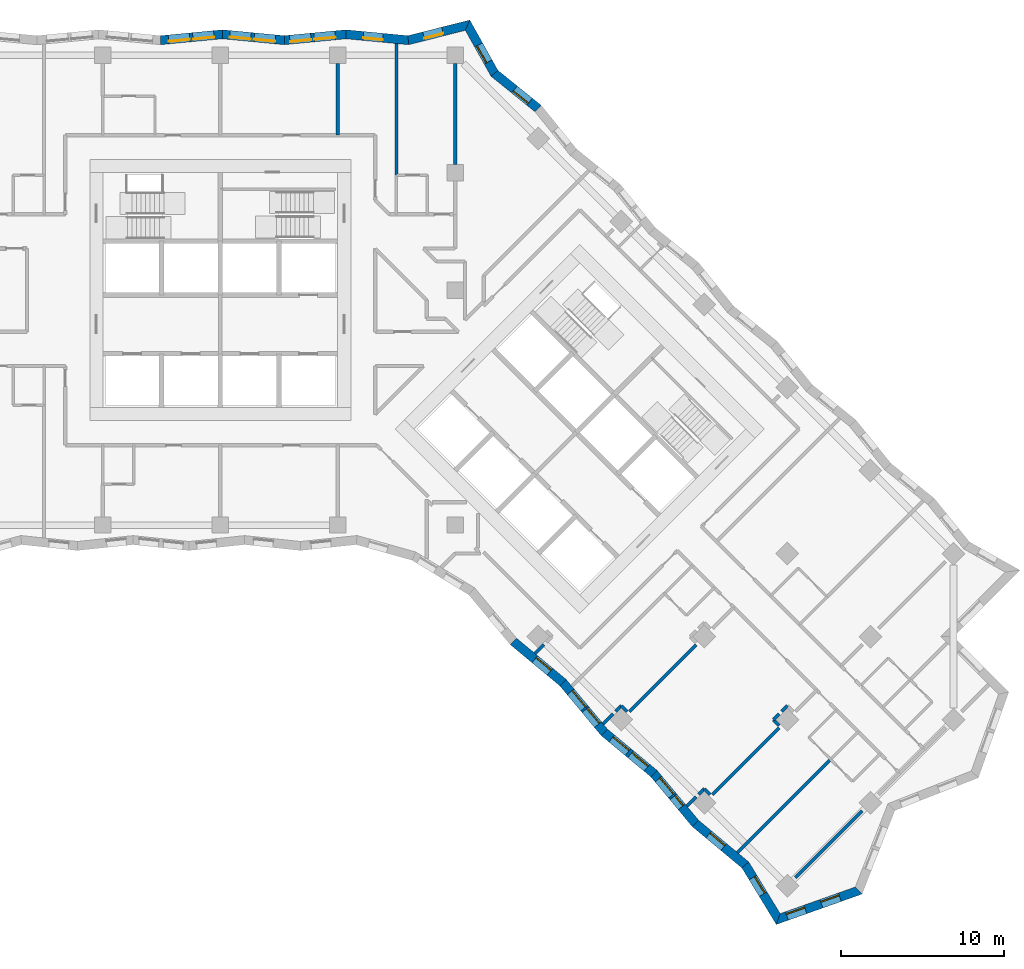
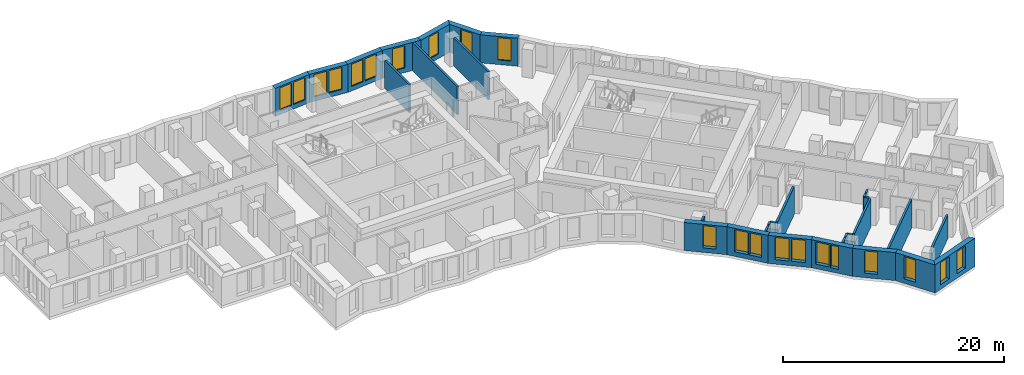
# One storey, part 7 of 12: 31 walls, 21 windows, 21 openings.
"""IFC4 building model written with IfcOpenShell, lengths in metres."""

from ifc_helpers import new_model, si_unit, direction, frame, frame_2d, origin, place, context, subcontext, project, spatial, polyline, rectangle, outline, extrude, material, layer, layer_set, type_object, element, fill, save


model = new_model("IFC4")

# Units and contexts
model_context = context("Model", 3, precision=1e-05, world=origin(), true_north=direction((0.0, 1.0)))
body_context = subcontext(model_context, "Body", "Model", "MODEL_VIEW")
ifc_project = project(units=[si_unit("LENGTHUNIT", "METRE"), si_unit("AREAUNIT", "SQUARE_METRE"), si_unit("VOLUMEUNIT", "CUBIC_METRE"), si_unit("PLANEANGLEUNIT", "RADIAN"), si_unit("MASSUNIT", "GRAM", prefix="KILO")], contexts=[model_context])

# Site, building, storey
site_placement = place(None, origin())
site = spatial("IfcSite", under=ifc_project, at=site_placement, CompositionType="ELEMENT")
building_placement = place(site_placement, origin())
building = spatial("IfcBuilding", under=site, at=building_placement, Name="Windrow Commons", CompositionType="ELEMENT")
storey_placement = place(building_placement, frame((0.0, 0.0, 88.0)))
storey = spatial("IfcBuildingStorey", under=building, at=storey_placement, Name="L23", CompositionType="ELEMENT", Elevation=88.0)

# Wall, openings, windows
ifc_material_1 = material(Name="Brick masonry, red clay brick", Category="masonry")
ifc_layer_1 = layer(ifc_material_1, 0.55)
ifc_layer_set_1 = layer_set([ifc_layer_1], Name="Brick facade wall 550")
wall_type_1 = type_object("IfcWallType", Name="Brick facade wall 550", PredefinedType="SOLIDWALL", material=ifc_layer_set_1)
wall_1_placement = place(storey_placement, frame((99.0039, 19.0457, 0.0), z_axis=(0.0, 0.0, 1.0), x_axis=(0.9424217233, 0.3344268162, 0.0)))
wall_1 = element("IfcWall", 1, at=wall_1_placement, inside=storey, type_object=wall_type_1, Name="Brick facade wall L23 1", PredefinedType="SOLIDWALL", context=body_context, shape_type="SweptSolid", body=[
    extrude(outline(polyline([(-0.2236, -0.275), (5.3589, -0.275), (5.108, 0.275), (0.2236, 0.275), (-0.2236, -0.275)])), origin(), (0.0, 0.0, 1.0), 3.1),
])
opening_1_placement = place(wall_1_placement, frame((0.5647, 0.0, 0.5)))
opening_1 = element("IfcOpeningElement", 2, at=opening_1_placement, cuts=wall_1, Name="Opening W7D", PredefinedType="OPENING", context=body_context, shape_type="SweptSolid", body=[
    extrude(rectangle(XDim=1.2, YDim=2.45, at=frame_2d((0.6, 1.225))), frame((0.0, 0.285, 0.0), z_axis=(0.0, -1.0, 0.0), x_axis=(1.0, 0.0, 0.0)), (0.0, 0.0, 1.0), 0.57),
])
opening_2_placement = place(wall_1_placement, frame((2.8069, 0.0, 0.5)))
opening_2 = element("IfcOpeningElement", 3, at=opening_2_placement, cuts=wall_1, Name="Opening W7D", PredefinedType="OPENING", context=body_context, shape_type="SweptSolid", body=[
    extrude(rectangle(XDim=1.2, YDim=2.45, at=frame_2d((0.6, 1.225))), frame((0.0, 0.285, 0.0), z_axis=(0.0, -1.0, 0.0), x_axis=(1.0, 0.0, 0.0)), (0.0, 0.0, 1.0), 0.57),
])
ifc_material_2 = material(Name="Clear float glass in anodised aluminium frame", Category="aluminium")
window_type_1 = type_object("IfcWindowType", Name="Window W7 notch 1200x2450", PartitioningType="SINGLE_PANEL", PredefinedType="WINDOW", material=ifc_material_2)
window_1_placement = place(opening_1_placement, origin())
window_1 = element("IfcWindow", 4, at=window_1_placement, inside=storey, type_object=window_type_1, Name="Window L23 1.1", OverallHeight=2.45, OverallWidth=1.2, PartitioningType="SINGLE_PANEL", PredefinedType="WINDOW", context=body_context, shape_type="SweptSolid", body=[
    extrude(rectangle(XDim=1.2, YDim=2.45, at=frame_2d((0.6, 1.225))), frame((0.0, 0.155, 0.0), z_axis=(0.0, -1.0, 0.0), x_axis=(1.0, 0.0, 0.0)), (0.0, 0.0, 1.0), 0.06),
])
fill(opening_1, window_1)
window_2_placement = place(opening_2_placement, origin())
window_2 = element("IfcWindow", 5, at=window_2_placement, inside=storey, type_object=window_type_1, Name="Window L23 1.2", OverallHeight=2.45, OverallWidth=1.2, PartitioningType="SINGLE_PANEL", PredefinedType="WINDOW", context=body_context, shape_type="SweptSolid", body=[
    extrude(rectangle(XDim=1.2, YDim=2.45, at=frame_2d((0.6, 1.225))), frame((0.0, 0.155, 0.0), z_axis=(0.0, -1.0, 0.0), x_axis=(1.0, 0.0, 0.0)), (0.0, 0.0, 1.0), 0.06),
])
fill(opening_2, window_2)

# Wall, opening, window
wall_2_placement = place(storey_placement, frame((84.2933, 68.7233, 0.0), z_axis=(0.0, 0.0, 1.0), x_axis=(-0.7776969661, 0.6286393472, 0.0)))
wall_2 = element("IfcWall", 6, at=wall_2_placement, inside=storey, type_object=wall_type_1, Name="Brick facade wall L23 19", PredefinedType="SOLIDWALL", context=body_context, shape_type="SweptSolid", body=[
    extrude(outline(polyline([(-0.0291, -0.275), (3.3967, -0.275), (3.5026, 0.275), (0.0291, 0.275), (-0.0291, -0.275)])), origin(), (0.0, 0.0, 1.0), 3.1),
])
opening_3_placement = place(wall_2_placement, frame((0.6803, 0.0, 0.5)))
opening_3 = element("IfcOpeningElement", 7, at=opening_3_placement, cuts=wall_2, Name="Opening W7D", PredefinedType="OPENING", context=body_context, shape_type="SweptSolid", body=[
    extrude(rectangle(XDim=1.2, YDim=2.45, at=frame_2d((0.6, 1.225))), frame((0.0, 0.285, 0.0), z_axis=(0.0, -1.0, 0.0), x_axis=(1.0, 0.0, 0.0)), (0.0, 0.0, 1.0), 0.57),
])
window_3_placement = place(opening_3_placement, origin())
window_3 = element("IfcWindow", 8, at=window_3_placement, inside=storey, type_object=window_type_1, Name="Window L23 19.1", OverallHeight=2.45, OverallWidth=1.2, PartitioningType="SINGLE_PANEL", PredefinedType="WINDOW", context=body_context, shape_type="SweptSolid", body=[
    extrude(rectangle(XDim=1.2, YDim=2.45, at=frame_2d((0.6, 1.225))), frame((0.0, 0.155, 0.0), z_axis=(0.0, -1.0, 0.0), x_axis=(1.0, 0.0, 0.0)), (0.0, 0.0, 1.0), 0.06),
])
fill(opening_3, window_3)

wall_3_placement = place(storey_placement, frame((81.6105, 70.8919, 0.0), z_axis=(0.0, 0.0, 1.0), x_axis=(-0.4885601475, 0.8725302186, 0.0)))
wall_3 = element("IfcWall", 9, at=wall_3_placement, inside=storey, type_object=wall_type_1, Name="Brick facade wall L23 20", PredefinedType="SOLIDWALL", context=body_context, shape_type="SweptSolid", body=[
    extrude(outline(polyline([(0.053, -0.275), (3.5927, -0.275), (3.1708, 0.275), (-0.053, 0.275), (0.053, -0.275)])), origin(), (0.0, 0.0, 1.0), 3.1),
])
opening_4_placement = place(wall_3_placement, frame((0.7926, 0.0, 0.5)))
opening_4 = element("IfcOpeningElement", 10, at=opening_4_placement, cuts=wall_3, Name="Opening W7D", PredefinedType="OPENING", context=body_context, shape_type="SweptSolid", body=[
    extrude(rectangle(XDim=1.2, YDim=2.45, at=frame_2d((0.6, 1.225))), frame((0.0, 0.285, 0.0), z_axis=(0.0, -1.0, 0.0), x_axis=(1.0, 0.0, 0.0)), (0.0, 0.0, 1.0), 0.57),
])
window_4_placement = place(opening_4_placement, origin())
window_4 = element("IfcWindow", 11, at=window_4_placement, inside=storey, type_object=window_type_1, Name="Window L23 20.1", OverallHeight=2.45, OverallWidth=1.2, PartitioningType="SINGLE_PANEL", PredefinedType="WINDOW", context=body_context, shape_type="SweptSolid", body=[
    extrude(rectangle(XDim=1.2, YDim=2.45, at=frame_2d((0.6, 1.225))), frame((0.0, 0.155, 0.0), z_axis=(0.0, -1.0, 0.0), x_axis=(1.0, 0.0, 0.0)), (0.0, 0.0, 1.0), 0.06),
])
fill(opening_4, window_4)

wall_4_placement = place(storey_placement, frame((79.9583, 73.8426, 0.0), z_axis=(0.0, 0.0, 1.0), x_axis=(-0.9693399067, -0.2457237173, 0.0)))
wall_4 = element("IfcWall", 12, at=wall_4_placement, inside=storey, type_object=wall_type_1, Name="Brick facade wall L23 21", PredefinedType="SOLIDWALL", context=body_context, shape_type="SweptSolid", body=[
    extrude(outline(polyline([(-0.2109, -0.275), (3.7, -0.275), (3.7953, 0.275), (0.2109, 0.275), (-0.2109, -0.275)])), origin(), (0.0, 0.0, 1.0), 3.1),
])
opening_5_placement = place(wall_4_placement, frame((1.565, 0.0, 0.5)))
opening_5 = element("IfcOpeningElement", 13, at=opening_5_placement, cuts=wall_4, Name="Opening W7D", PredefinedType="OPENING", context=body_context, shape_type="SweptSolid", body=[
    extrude(rectangle(XDim=1.2, YDim=2.45, at=frame_2d((0.6, 1.225))), frame((0.0, 0.285, 0.0), z_axis=(0.0, -1.0, 0.0), x_axis=(1.0, 0.0, 0.0)), (0.0, 0.0, 1.0), 0.57),
])
window_5_placement = place(opening_5_placement, origin())
window_5 = element("IfcWindow", 14, at=window_5_placement, inside=storey, type_object=window_type_1, Name="Window L23 21.1", OverallHeight=2.45, OverallWidth=1.2, PartitioningType="SINGLE_PANEL", PredefinedType="WINDOW", context=body_context, shape_type="SweptSolid", body=[
    extrude(rectangle(XDim=1.2, YDim=2.45, at=frame_2d((0.6, 1.225))), frame((0.0, 0.155, 0.0), z_axis=(0.0, -1.0, 0.0), x_axis=(1.0, 0.0, 0.0)), (0.0, 0.0, 1.0), 0.06),
])
fill(opening_5, window_5)

wall_5_placement = place(storey_placement, frame((76.3255, 72.9217, 0.0), z_axis=(0.0, 0.0, 1.0), x_axis=(-0.9954951205, 0.0948127894, 0.0)))
wall_5 = element("IfcWall", 15, at=wall_5_placement, inside=storey, type_object=wall_type_1, Name="Brick facade wall L23 22", PredefinedType="SOLIDWALL", context=body_context, shape_type="SweptSolid", body=[
    extrude(outline(polyline([(0.0477, -0.275), (3.8558, -0.275), (3.8034, 0.275), (-0.0477, 0.275), (0.0477, -0.275)])), origin(), (0.0, 0.0, 1.0), 3.1),
])
opening_6_placement = place(wall_5_placement, frame((1.5661, 0.0, 0.5)))
opening_6 = element("IfcOpeningElement", 16, at=opening_6_placement, cuts=wall_5, Name="Opening W7D", PredefinedType="OPENING", context=body_context, shape_type="SweptSolid", body=[
    extrude(rectangle(XDim=1.2, YDim=2.45, at=frame_2d((0.6, 1.225))), frame((0.0, 0.285, 0.0), z_axis=(0.0, -1.0, 0.0), x_axis=(1.0, 0.0, 0.0)), (0.0, 0.0, 1.0), 0.57),
])
window_6_placement = place(opening_6_placement, origin())
window_6 = element("IfcWindow", 17, at=window_6_placement, inside=storey, type_object=window_type_1, Name="Window L23 22.1", OverallHeight=2.45, OverallWidth=1.2, PartitioningType="SINGLE_PANEL", PredefinedType="WINDOW", context=body_context, shape_type="SweptSolid", body=[
    extrude(rectangle(XDim=1.2, YDim=2.45, at=frame_2d((0.6, 1.225))), frame((0.0, 0.155, 0.0), z_axis=(0.0, -1.0, 0.0), x_axis=(1.0, 0.0, 0.0)), (0.0, 0.0, 1.0), 0.06),
])
fill(opening_6, window_6)

# Wall, openings, windows
wall_6_placement = place(storey_placement, frame((72.5131, 73.2848, 0.0), z_axis=(0.0, 0.0, 1.0), x_axis=(-0.9954966527, -0.0947967005, 0.0)))
wall_6 = element("IfcWall", 18, at=wall_6_placement, inside=storey, type_object=wall_type_1, Name="Brick facade wall L23 23", PredefinedType="SOLIDWALL", context=body_context, shape_type="SweptSolid", body=[
    extrude(outline(polyline([(-0.0262, -0.275), (3.782, -0.275), (3.8343, 0.275), (0.0262, 0.275), (-0.0262, -0.275)])), origin(), (0.0, 0.0, 1.0), 3.1),
])
opening_7_placement = place(wall_6_placement, frame((0.6618, 0.0, 0.5)))
opening_7 = element("IfcOpeningElement", 19, at=opening_7_placement, cuts=wall_6, Name="Opening W1P", PredefinedType="OPENING", context=body_context, shape_type="SweptSolid", body=[
    extrude(rectangle(XDim=1.3, YDim=2.45, at=frame_2d((0.65, 1.225))), frame((0.0, 0.285, 0.0), z_axis=(0.0, -1.0, 0.0), x_axis=(1.0, 0.0, 0.0)), (0.0, 0.0, 1.0), 0.57),
])
opening_8_placement = place(wall_6_placement, frame((2.1618, 0.0, 0.5)))
opening_8 = element("IfcOpeningElement", 20, at=opening_8_placement, cuts=wall_6, Name="Opening W1P", PredefinedType="OPENING", context=body_context, shape_type="SweptSolid", body=[
    extrude(rectangle(XDim=1.3, YDim=2.45, at=frame_2d((0.65, 1.225))), frame((0.0, 0.285, 0.0), z_axis=(0.0, -1.0, 0.0), x_axis=(1.0, 0.0, 0.0)), (0.0, 0.0, 1.0), 0.57),
])
ifc_material_3 = material(Name="Clear float glass in anodised aluminium frame", Category="aluminium")
window_type_2 = type_object("IfcWindowType", Name="Window W1P pair 1300x2450", PartitioningType="SINGLE_PANEL", PredefinedType="WINDOW", material=ifc_material_3)
window_7_placement = place(opening_7_placement, origin())
window_7 = element("IfcWindow", 21, at=window_7_placement, inside=storey, type_object=window_type_2, Name="Window L23 23.1A", OverallHeight=2.45, OverallWidth=1.3, PartitioningType="SINGLE_PANEL", PredefinedType="WINDOW", context=body_context, shape_type="SweptSolid", body=[
    extrude(rectangle(XDim=1.3, YDim=2.45, at=frame_2d((0.65, 1.225))), frame((0.0, 0.155, 0.0), z_axis=(0.0, -1.0, 0.0), x_axis=(1.0, 0.0, 0.0)), (0.0, 0.0, 1.0), 0.06),
])
fill(opening_7, window_7)
window_8_placement = place(opening_8_placement, origin())
window_8 = element("IfcWindow", 22, at=window_8_placement, inside=storey, type_object=window_type_2, Name="Window L23 23.1B", OverallHeight=2.45, OverallWidth=1.3, PartitioningType="SINGLE_PANEL", PredefinedType="WINDOW", context=body_context, shape_type="SweptSolid", body=[
    extrude(rectangle(XDim=1.3, YDim=2.45, at=frame_2d((0.65, 1.225))), frame((0.0, 0.155, 0.0), z_axis=(0.0, -1.0, 0.0), x_axis=(1.0, 0.0, 0.0)), (0.0, 0.0, 1.0), 0.06),
])
fill(opening_8, window_8)

wall_7_placement = place(storey_placement, frame((68.7221, 72.9238, 0.0), z_axis=(0.0, 0.0, 1.0), x_axis=(-0.9954966527, 0.0947967005, 0.0)))
wall_7 = element("IfcWall", 23, at=wall_7_placement, inside=storey, type_object=wall_type_1, Name="Brick facade wall L23 24", PredefinedType="SOLIDWALL", context=body_context, shape_type="SweptSolid", body=[
    extrude(outline(polyline([(0.0262, -0.275), (3.8343, -0.275), (3.782, 0.275), (-0.0262, 0.275), (0.0262, -0.275)])), origin(), (0.0, 0.0, 1.0), 3.1),
])
opening_9_placement = place(wall_7_placement, frame((0.5528, 0.0, 0.5)))
opening_9 = element("IfcOpeningElement", 24, at=opening_9_placement, cuts=wall_7, Name="Opening W1P", PredefinedType="OPENING", context=body_context, shape_type="SweptSolid", body=[
    extrude(rectangle(XDim=1.3, YDim=2.45, at=frame_2d((0.65, 1.225))), frame((0.0, 0.285, 0.0), z_axis=(0.0, -1.0, 0.0), x_axis=(1.0, 0.0, 0.0)), (0.0, 0.0, 1.0), 0.57),
])
opening_10_placement = place(wall_7_placement, frame((2.0528, 0.0, 0.5)))
opening_10 = element("IfcOpeningElement", 25, at=opening_10_placement, cuts=wall_7, Name="Opening W1P", PredefinedType="OPENING", context=body_context, shape_type="SweptSolid", body=[
    extrude(rectangle(XDim=1.3, YDim=2.45, at=frame_2d((0.65, 1.225))), frame((0.0, 0.285, 0.0), z_axis=(0.0, -1.0, 0.0), x_axis=(1.0, 0.0, 0.0)), (0.0, 0.0, 1.0), 0.57),
])
window_9_placement = place(opening_9_placement, origin())
window_9 = element("IfcWindow", 26, at=window_9_placement, inside=storey, type_object=window_type_2, Name="Window L23 24.1A", OverallHeight=2.45, OverallWidth=1.3, PartitioningType="SINGLE_PANEL", PredefinedType="WINDOW", context=body_context, shape_type="SweptSolid", body=[
    extrude(rectangle(XDim=1.3, YDim=2.45, at=frame_2d((0.65, 1.225))), frame((0.0, 0.155, 0.0), z_axis=(0.0, -1.0, 0.0), x_axis=(1.0, 0.0, 0.0)), (0.0, 0.0, 1.0), 0.06),
])
fill(opening_9, window_9)
window_10_placement = place(opening_10_placement, origin())
window_10 = element("IfcWindow", 27, at=window_10_placement, inside=storey, type_object=window_type_2, Name="Window L23 24.1B", OverallHeight=2.45, OverallWidth=1.3, PartitioningType="SINGLE_PANEL", PredefinedType="WINDOW", context=body_context, shape_type="SweptSolid", body=[
    extrude(rectangle(XDim=1.3, YDim=2.45, at=frame_2d((0.65, 1.225))), frame((0.0, 0.155, 0.0), z_axis=(0.0, -1.0, 0.0), x_axis=(1.0, 0.0, 0.0)), (0.0, 0.0, 1.0), 0.06),
])
fill(opening_10, window_10)

wall_8_placement = place(storey_placement, frame((64.9311, 73.2848, 0.0), z_axis=(0.0, 0.0, 1.0), x_axis=(-0.9954966527, -0.0947967005, 0.0)))
wall_8 = element("IfcWall", 28, at=wall_8_placement, inside=storey, type_object=wall_type_1, Name="Brick facade wall L23 25", PredefinedType="SOLIDWALL", context=body_context, shape_type="SweptSolid", body=[
    extrude(outline(polyline([(-0.0262, -0.275), (3.782, -0.275), (3.8343, 0.275), (0.0262, 0.275), (-0.0262, -0.275)])), origin(), (0.0, 0.0, 1.0), 3.1),
])
opening_11_placement = place(wall_8_placement, frame((0.5172, 0.0, 0.5)))
opening_11 = element("IfcOpeningElement", 29, at=opening_11_placement, cuts=wall_8, Name="Opening W1P", PredefinedType="OPENING", context=body_context, shape_type="SweptSolid", body=[
    extrude(rectangle(XDim=1.3, YDim=2.45, at=frame_2d((0.65, 1.225))), frame((0.0, 0.285, 0.0), z_axis=(0.0, -1.0, 0.0), x_axis=(1.0, 0.0, 0.0)), (0.0, 0.0, 1.0), 0.57),
])
opening_12_placement = place(wall_8_placement, frame((2.0172, 0.0, 0.5)))
opening_12 = element("IfcOpeningElement", 30, at=opening_12_placement, cuts=wall_8, Name="Opening W1P", PredefinedType="OPENING", context=body_context, shape_type="SweptSolid", body=[
    extrude(rectangle(XDim=1.3, YDim=2.45, at=frame_2d((0.65, 1.225))), frame((0.0, 0.285, 0.0), z_axis=(0.0, -1.0, 0.0), x_axis=(1.0, 0.0, 0.0)), (0.0, 0.0, 1.0), 0.57),
])
window_11_placement = place(opening_11_placement, origin())
window_11 = element("IfcWindow", 31, at=window_11_placement, inside=storey, type_object=window_type_2, Name="Window L23 25.1A", OverallHeight=2.45, OverallWidth=1.3, PartitioningType="SINGLE_PANEL", PredefinedType="WINDOW", context=body_context, shape_type="SweptSolid", body=[
    extrude(rectangle(XDim=1.3, YDim=2.45, at=frame_2d((0.65, 1.225))), frame((0.0, 0.155, 0.0), z_axis=(0.0, -1.0, 0.0), x_axis=(1.0, 0.0, 0.0)), (0.0, 0.0, 1.0), 0.06),
])
fill(opening_11, window_11)
window_12_placement = place(opening_12_placement, origin())
window_12 = element("IfcWindow", 32, at=window_12_placement, inside=storey, type_object=window_type_2, Name="Window L23 25.1B", OverallHeight=2.45, OverallWidth=1.3, PartitioningType="SINGLE_PANEL", PredefinedType="WINDOW", context=body_context, shape_type="SweptSolid", body=[
    extrude(rectangle(XDim=1.3, YDim=2.45, at=frame_2d((0.65, 1.225))), frame((0.0, 0.155, 0.0), z_axis=(0.0, -1.0, 0.0), x_axis=(1.0, 0.0, 0.0)), (0.0, 0.0, 1.0), 0.06),
])
fill(opening_12, window_12)

# Wall, opening, window
wall_9_placement = place(storey_placement, frame((82.7592, 36.0767, 0.0), z_axis=(0.0, 0.0, 1.0), x_axis=(0.7685810075, -0.6397524794, 0.0)))
wall_9 = element("IfcWall", 33, at=wall_9_placement, inside=storey, type_object=wall_type_1, Name="Brick facade wall L23 54", PredefinedType="SOLIDWALL", context=body_context, shape_type="SweptSolid", body=[
    extrude(outline(polyline([(-0.0252, -0.275), (3.9383, -0.275), (3.9886, 0.275), (0.0252, 0.275), (-0.0252, -0.275)])), origin(), (0.0, 0.0, 1.0), 3.1),
])
opening_13_placement = place(wall_9_placement, frame((1.7244, 0.0, 0.5)))
opening_13 = element("IfcOpeningElement", 34, at=opening_13_placement, cuts=wall_9, Name="Opening W7D", PredefinedType="OPENING", context=body_context, shape_type="SweptSolid", body=[
    extrude(rectangle(XDim=1.2, YDim=2.45, at=frame_2d((0.6, 1.225))), frame((0.0, 0.285, 0.0), z_axis=(0.0, -1.0, 0.0), x_axis=(1.0, 0.0, 0.0)), (0.0, 0.0, 1.0), 0.57),
])
window_13_placement = place(opening_13_placement, origin())
window_13 = element("IfcWindow", 35, at=window_13_placement, inside=storey, type_object=window_type_1, Name="Window L23 54.1", OverallHeight=2.45, OverallWidth=1.2, PartitioningType="SINGLE_PANEL", PredefinedType="WINDOW", context=body_context, shape_type="SweptSolid", body=[
    extrude(rectangle(XDim=1.2, YDim=2.45, at=frame_2d((0.6, 1.225))), frame((0.0, 0.155, 0.0), z_axis=(0.0, -1.0, 0.0), x_axis=(1.0, 0.0, 0.0)), (0.0, 0.0, 1.0), 0.06),
])
fill(opening_13, window_13)

# Wall, openings, windows
wall_10_placement = place(storey_placement, frame((85.8054, 33.5411, 0.0), z_axis=(0.0, 0.0, 1.0), x_axis=(0.6397524794, -0.7685810075, 0.0)))
wall_10 = element("IfcWall", 36, at=wall_10_placement, inside=storey, type_object=wall_type_1, Name="Brick facade wall L23 55", PredefinedType="SOLIDWALL", context=body_context, shape_type="SweptSolid", body=[
    extrude(outline(polyline([(0.0252, -0.275), (3.9886, -0.275), (3.9383, 0.275), (-0.0252, 0.275), (0.0252, -0.275)])), origin(), (0.0, 0.0, 1.0), 3.1),
])
opening_14_placement = place(wall_10_placement, frame((0.7376, 0.0, 0.5)))
opening_14 = element("IfcOpeningElement", 37, at=opening_14_placement, cuts=wall_10, Name="Opening W1P", PredefinedType="OPENING", context=body_context, shape_type="SweptSolid", body=[
    extrude(rectangle(XDim=1.3, YDim=2.45, at=frame_2d((0.65, 1.225))), frame((0.0, 0.285, 0.0), z_axis=(0.0, -1.0, 0.0), x_axis=(1.0, 0.0, 0.0)), (0.0, 0.0, 1.0), 0.57),
])
opening_15_placement = place(wall_10_placement, frame((2.1553, 0.0, 0.5)))
opening_15 = element("IfcOpeningElement", 38, at=opening_15_placement, cuts=wall_10, Name="Opening W7D", PredefinedType="OPENING", context=body_context, shape_type="SweptSolid", body=[
    extrude(rectangle(XDim=1.2, YDim=2.45, at=frame_2d((0.6, 1.225))), frame((0.0, 0.285, 0.0), z_axis=(0.0, -1.0, 0.0), x_axis=(1.0, 0.0, 0.0)), (0.0, 0.0, 1.0), 0.57),
])
window_14_placement = place(opening_14_placement, origin())
window_14 = element("IfcWindow", 39, at=window_14_placement, inside=storey, type_object=window_type_2, Name="Window L23 55.1A", OverallHeight=2.45, OverallWidth=1.3, PartitioningType="SINGLE_PANEL", PredefinedType="WINDOW", context=body_context, shape_type="SweptSolid", body=[
    extrude(rectangle(XDim=1.3, YDim=2.45, at=frame_2d((0.65, 1.225))), frame((0.0, 0.155, 0.0), z_axis=(0.0, -1.0, 0.0), x_axis=(1.0, 0.0, 0.0)), (0.0, 0.0, 1.0), 0.06),
])
fill(opening_14, window_14)
window_15_placement = place(opening_15_placement, origin())
window_15 = element("IfcWindow", 40, at=window_15_placement, inside=storey, type_object=window_type_1, Name="Window L23 55.1BA", OverallHeight=2.45, OverallWidth=1.2, PartitioningType="SINGLE_PANEL", PredefinedType="WINDOW", context=body_context, shape_type="SweptSolid", body=[
    extrude(rectangle(XDim=1.2, YDim=2.45, at=frame_2d((0.6, 1.225))), frame((0.0, 0.155, 0.0), z_axis=(0.0, -1.0, 0.0), x_axis=(1.0, 0.0, 0.0)), (0.0, 0.0, 1.0), 0.06),
])
fill(opening_15, window_15)

wall_11_placement = place(storey_placement, frame((88.341, 30.4949, 0.0), z_axis=(0.0, 0.0, 1.0), x_axis=(0.7685810075, -0.6397524794, 0.0)))
wall_11 = element("IfcWall", 41, at=wall_11_placement, inside=storey, type_object=wall_type_1, Name="Brick facade wall L23 56", PredefinedType="SOLIDWALL", context=body_context, shape_type="SweptSolid", body=[
    extrude(outline(polyline([(-0.0252, -0.275), (3.9383, -0.275), (3.9886, 0.275), (0.0252, 0.275), (-0.0252, -0.275)])), origin(), (0.0, 0.0, 1.0), 3.1),
])
opening_16_placement = place(wall_11_placement, frame((0.5943, 0.0, 0.5)))
opening_16 = element("IfcOpeningElement", 42, at=opening_16_placement, cuts=wall_11, Name="Opening W1P", PredefinedType="OPENING", context=body_context, shape_type="SweptSolid", body=[
    extrude(rectangle(XDim=1.3, YDim=2.45, at=frame_2d((0.65, 1.225))), frame((0.0, 0.285, 0.0), z_axis=(0.0, -1.0, 0.0), x_axis=(1.0, 0.0, 0.0)), (0.0, 0.0, 1.0), 0.57),
])
opening_17_placement = place(wall_11_placement, frame((2.0943, 0.0, 0.5)))
opening_17 = element("IfcOpeningElement", 43, at=opening_17_placement, cuts=wall_11, Name="Opening W1P", PredefinedType="OPENING", context=body_context, shape_type="SweptSolid", body=[
    extrude(rectangle(XDim=1.3, YDim=2.45, at=frame_2d((0.65, 1.225))), frame((0.0, 0.285, 0.0), z_axis=(0.0, -1.0, 0.0), x_axis=(1.0, 0.0, 0.0)), (0.0, 0.0, 1.0), 0.57),
])
window_16_placement = place(opening_16_placement, origin())
window_16 = element("IfcWindow", 44, at=window_16_placement, inside=storey, type_object=window_type_2, Name="Window L23 56.1A", OverallHeight=2.45, OverallWidth=1.3, PartitioningType="SINGLE_PANEL", PredefinedType="WINDOW", context=body_context, shape_type="SweptSolid", body=[
    extrude(rectangle(XDim=1.3, YDim=2.45, at=frame_2d((0.65, 1.225))), frame((0.0, 0.155, 0.0), z_axis=(0.0, -1.0, 0.0), x_axis=(1.0, 0.0, 0.0)), (0.0, 0.0, 1.0), 0.06),
])
fill(opening_16, window_16)
window_17_placement = place(opening_17_placement, origin())
window_17 = element("IfcWindow", 45, at=window_17_placement, inside=storey, type_object=window_type_2, Name="Window L23 56.1B", OverallHeight=2.45, OverallWidth=1.3, PartitioningType="SINGLE_PANEL", PredefinedType="WINDOW", context=body_context, shape_type="SweptSolid", body=[
    extrude(rectangle(XDim=1.3, YDim=2.45, at=frame_2d((0.65, 1.225))), frame((0.0, 0.155, 0.0), z_axis=(0.0, -1.0, 0.0), x_axis=(1.0, 0.0, 0.0)), (0.0, 0.0, 1.0), 0.06),
])
fill(opening_17, window_17)

wall_12_placement = place(storey_placement, frame((91.3872, 27.9593, 0.0), z_axis=(0.0, 0.0, 1.0), x_axis=(0.6397673833, -0.7685686016, 0.0)))
wall_12 = element("IfcWall", 46, at=wall_12_placement, inside=storey, type_object=wall_type_1, Name="Brick facade wall L23 57", PredefinedType="SOLIDWALL", context=body_context, shape_type="SweptSolid", body=[
    extrude(outline(polyline([(0.0252, -0.275), (3.9886, -0.275), (3.9383, 0.275), (-0.0252, 0.275), (0.0252, -0.275)])), origin(), (0.0, 0.0, 1.0), 3.1),
])
opening_18_placement = place(wall_12_placement, frame((0.4276, 0.0, 0.5)))
opening_18 = element("IfcOpeningElement", 47, at=opening_18_placement, cuts=wall_12, Name="Opening W1P", PredefinedType="OPENING", context=body_context, shape_type="SweptSolid", body=[
    extrude(rectangle(XDim=1.3, YDim=2.45, at=frame_2d((0.65, 1.225))), frame((0.0, 0.285, 0.0), z_axis=(0.0, -1.0, 0.0), x_axis=(1.0, 0.0, 0.0)), (0.0, 0.0, 1.0), 0.57),
])
opening_19_placement = place(wall_12_placement, frame((1.8518, 0.0, 0.45)))
opening_19 = element("IfcOpeningElement", 48, at=opening_19_placement, cuts=wall_12, Name="Opening W1N", PredefinedType="OPENING", context=body_context, shape_type="SweptSolid", body=[
    extrude(rectangle(XDim=0.8, YDim=2.5, at=frame_2d((0.4, 1.25))), frame((0.0, 0.285, 0.0), z_axis=(0.0, -1.0, 0.0), x_axis=(1.0, 0.0, 0.0)), (0.0, 0.0, 1.0), 0.57),
])
ifc_material_4 = material(Name="Clear float glass in anodised aluminium frame", Category="aluminium")
window_type_3 = type_object("IfcWindowType", Name="Window W1N slit 800x2500", PartitioningType="SINGLE_PANEL", PredefinedType="WINDOW", material=ifc_material_4)
window_18_placement = place(opening_19_placement, origin())
window_18 = element("IfcWindow", 49, at=window_18_placement, inside=storey, type_object=window_type_3, Name="Window L23 57.1BA", OverallHeight=2.5, OverallWidth=0.8, PartitioningType="SINGLE_PANEL", PredefinedType="WINDOW", context=body_context, shape_type="SweptSolid", body=[
    extrude(rectangle(XDim=0.8, YDim=2.5, at=frame_2d((0.4, 1.25))), frame((0.0, 0.155, 0.0), z_axis=(0.0, -1.0, 0.0), x_axis=(1.0, 0.0, 0.0)), (0.0, 0.0, 1.0), 0.06),
])
fill(opening_19, window_18)
window_19_placement = place(opening_18_placement, origin())
window_19 = element("IfcWindow", 50, at=window_19_placement, inside=storey, type_object=window_type_2, Name="Window L23 57.1A", OverallHeight=2.45, OverallWidth=1.3, PartitioningType="SINGLE_PANEL", PredefinedType="WINDOW", context=body_context, shape_type="SweptSolid", body=[
    extrude(rectangle(XDim=1.3, YDim=2.45, at=frame_2d((0.65, 1.225))), frame((0.0, 0.155, 0.0), z_axis=(0.0, -1.0, 0.0), x_axis=(1.0, 0.0, 0.0)), (0.0, 0.0, 1.0), 0.06),
])
fill(opening_18, window_19)

# Wall, opening, window
wall_13_placement = place(storey_placement, frame((93.9229, 24.9131, 0.0), z_axis=(0.0, 0.0, 1.0), x_axis=(0.7685750371, -0.639759652, 0.0)))
wall_13 = element("IfcWall", 51, at=wall_13_placement, inside=storey, type_object=wall_type_1, Name="Brick facade wall L23 58", PredefinedType="SOLIDWALL", context=body_context, shape_type="SweptSolid", body=[
    extrude(outline(polyline([(-0.0252, -0.275), (3.9383, -0.275), (4.0299, 0.275), (0.0252, 0.275), (-0.0252, -0.275)])), origin(), (0.0, 0.0, 1.0), 3.1),
])
opening_20_placement = place(wall_13_placement, frame((1.066, 0.0, 0.5)))
opening_20 = element("IfcOpeningElement", 52, at=opening_20_placement, cuts=wall_13, Name="Opening W7D", PredefinedType="OPENING", context=body_context, shape_type="SweptSolid", body=[
    extrude(rectangle(XDim=1.2, YDim=2.45, at=frame_2d((0.6, 1.225))), frame((0.0, 0.285, 0.0), z_axis=(0.0, -1.0, 0.0), x_axis=(1.0, 0.0, 0.0)), (0.0, 0.0, 1.0), 0.57),
])
window_20_placement = place(opening_20_placement, origin())
window_20 = element("IfcWindow", 53, at=window_20_placement, inside=storey, type_object=window_type_1, Name="Window L23 58.1", OverallHeight=2.45, OverallWidth=1.2, PartitioningType="SINGLE_PANEL", PredefinedType="WINDOW", context=body_context, shape_type="SweptSolid", body=[
    extrude(rectangle(XDim=1.2, YDim=2.45, at=frame_2d((0.6, 1.225))), frame((0.0, 0.155, 0.0), z_axis=(0.0, -1.0, 0.0), x_axis=(1.0, 0.0, 0.0)), (0.0, 0.0, 1.0), 0.06),
])
fill(opening_20, window_20)

wall_14_placement = place(storey_placement, frame((96.9849, 22.3643, 0.0), z_axis=(0.0, 0.0, 1.0), x_axis=(0.5197558303, -0.8543148581, 0.0)))
wall_14 = element("IfcWall", 54, at=wall_14_placement, inside=storey, type_object=wall_type_1, Name="Brick facade wall L23 59", PredefinedType="SOLIDWALL", context=body_context, shape_type="SweptSolid", body=[
    extrude(outline(polyline([(0.0458, -0.275), (4.108, -0.275), (3.6609, 0.275), (-0.0458, 0.275), (0.0458, -0.275)])), origin(), (0.0, 0.0, 1.0), 3.1),
])
opening_21_placement = place(wall_14_placement, frame((0.903, 0.0, 0.5)))
opening_21 = element("IfcOpeningElement", 55, at=opening_21_placement, cuts=wall_14, Name="Opening W7D", PredefinedType="OPENING", context=body_context, shape_type="SweptSolid", body=[
    extrude(rectangle(XDim=1.2, YDim=2.45, at=frame_2d((0.6, 1.225))), frame((0.0, 0.285, 0.0), z_axis=(0.0, -1.0, 0.0), x_axis=(1.0, 0.0, 0.0)), (0.0, 0.0, 1.0), 0.57),
])
window_21_placement = place(opening_21_placement, origin())
window_21 = element("IfcWindow", 56, at=window_21_placement, inside=storey, type_object=window_type_1, Name="Window L23 59.1", OverallHeight=2.45, OverallWidth=1.2, PartitioningType="SINGLE_PANEL", PredefinedType="WINDOW", context=body_context, shape_type="SweptSolid", body=[
    extrude(rectangle(XDim=1.2, YDim=2.45, at=frame_2d((0.6, 1.225))), frame((0.0, 0.155, 0.0), z_axis=(0.0, -1.0, 0.0), x_axis=(1.0, 0.0, 0.0)), (0.0, 0.0, 1.0), 0.06),
])
fill(opening_21, window_21)

# Walls
ifc_material_5 = material(Name="Blockwork partition", Category="masonry")
ifc_layer_2 = layer(ifc_material_5, 0.2)
ifc_layer_set_2 = layer_set([ifc_layer_2], Name="IW-PARTY-200")
wall_type_2 = type_object("IfcWallType", Name="IW-PARTY-200", PredefinedType="PARTITIONING", material=ifc_layer_set_2)
wall_15_placement = place(storey_placement, frame((96.5088, 23.1184, 0.0), z_axis=(0.0, 0.0, 1.0), x_axis=(0.7069829425, 0.7072305982, 0.0)))
element("IfcWall", 57, at=wall_15_placement, inside=storey, type_object=wall_type_2, Name="W-L23-W016", PredefinedType="PARTITIONING", context=body_context, shape_type="SweptSolid", body=[
    extrude(rectangle(XDim=8.0757, YDim=0.2, at=frame_2d((4.0378, 0.0))), origin(), (0.0, 0.0, 1.0), 3.1),
])
wall_16_placement = place(storey_placement, frame((75.6, 64.65, 0.0), z_axis=(0.0, 0.0, 1.0), x_axis=(0.0, 1.0, 0.0)))
element("IfcWall", 58, at=wall_16_placement, inside=storey, type_object=wall_type_2, Name="W-L23-W017", PredefinedType="PARTITIONING", context=body_context, shape_type="SweptSolid", body=[
    extrude(rectangle(XDim=8.0646, YDim=0.2, at=frame_2d((4.0323, 0.0))), origin(), (0.0, 0.0, 1.0), 3.1),
])
wall_17_placement = place(storey_placement, frame((79.2, 65.3, 0.0), z_axis=(0.0, 0.0, 1.0), x_axis=(0.0, 1.0, 0.0)))
element("IfcWall", 59, at=wall_17_placement, inside=storey, type_object=wall_type_2, Name="W-L23-W026", PredefinedType="PARTITIONING", context=body_context, shape_type="SweptSolid", body=[
    extrude(rectangle(XDim=6.2, YDim=0.2, at=frame_2d((3.1, 0.0))), origin(), (0.0, 0.0, 1.0), 3.1),
])
wall_18_placement = place(storey_placement, frame((89.881, 31.771, 0.0), z_axis=(0.0, 0.0, 1.0), x_axis=(0.7071067812, 0.7071067812, 0.0)))
element("IfcWall", 60, at=wall_18_placement, inside=storey, type_object=wall_type_2, Name="W-L23-W029", PredefinedType="PARTITIONING", context=body_context, shape_type="SweptSolid", body=[
    extrude(rectangle(XDim=5.787, YDim=0.2, at=frame_2d((2.8935, 0.0))), origin(), (0.0, 0.0, 1.0), 3.1),
])
wall_19_placement = place(storey_placement, frame((100.0634, 21.5886, 0.0), z_axis=(0.0, 0.0, 1.0), x_axis=(0.7071067812, 0.7071067812, 0.0)))
element("IfcWall", 61, at=wall_19_placement, inside=storey, type_object=wall_type_2, Name="W-L23-W031", PredefinedType="PARTITIONING", context=body_context, shape_type="SweptSolid", body=[
    extrude(rectangle(XDim=5.787, YDim=0.2, at=frame_2d((2.8935, 0.0))), origin(), (0.0, 0.0, 1.0), 2.6),
])
wall_20_placement = place(storey_placement, frame((94.9732, 26.6808, 0.0), z_axis=(0.0, 0.0, 1.0), x_axis=(0.7071067812, 0.7071067812, 0.0)))
element("IfcWall", 62, at=wall_20_placement, inside=storey, type_object=wall_type_2, Name="W-L23-W033", PredefinedType="PARTITIONING", context=body_context, shape_type="SweptSolid", body=[
    extrude(rectangle(XDim=5.7841, YDim=0.2, at=frame_2d((2.892, 0.0))), origin(), (0.0, 0.0, 1.0), 3.1),
])
wall_21_placement = place(storey_placement, frame((72.0, 67.1, 0.0), z_axis=(0.0, 0.0, 1.0), x_axis=(0.0, 1.0, 0.0)))
element("IfcWall", 63, at=wall_21_placement, inside=storey, type_object=wall_type_2, Name="W-L23-W046", PredefinedType="PARTITIONING", context=body_context, shape_type="SweptSolid", body=[
    extrude(rectangle(XDim=4.4, YDim=0.2, at=frame_2d((2.2, 0.0))), origin(), (0.0, 0.0, 1.0), 3.1),
])
wall_22_placement = place(storey_placement, frame((88.2707, 31.0092, 0.0), z_axis=(0.0, 0.0, 1.0), x_axis=(0.7071646388, 0.7070489188, 0.0)))
element("IfcWall", 64, at=wall_22_placement, inside=storey, type_object=wall_type_2, Name="W-L23-W154", PredefinedType="PARTITIONING", context=body_context, shape_type="SweptSolid", body=[
    extrude(rectangle(XDim=0.8642, YDim=0.2, at=frame_2d((0.4321, 0.0))), origin(), (0.0, 0.0, 1.0), 3.1),
])
wall_23_placement = place(storey_placement, frame((93.4068, 25.9629, 0.0), z_axis=(0.0, 0.0, 1.0), x_axis=(0.7070443297, 0.7071692271, 0.0)))
element("IfcWall", 65, at=wall_23_placement, inside=storey, type_object=wall_type_2, Name="W-L23-W155", PredefinedType="PARTITIONING", context=body_context, shape_type="SweptSolid", body=[
    extrude(rectangle(XDim=0.8007, YDim=0.2, at=frame_2d((0.4003, 0.0))), origin(), (0.0, 0.0, 1.0), 3.1),
])
wall_24_placement = place(storey_placement, frame((84.0971, 35.3209, 0.0), z_axis=(0.0, 0.0, 1.0), x_axis=(0.7071067812, 0.7071067812, 0.0)))
element("IfcWall", 66, at=wall_24_placement, inside=storey, type_object=wall_type_2, Name="W-L23-W156", PredefinedType="PARTITIONING", context=body_context, shape_type="SweptSolid", body=[
    extrude(rectangle(XDim=0.7665, YDim=0.2, at=frame_2d((0.3832, 0.0))), origin(), (0.0, 0.0, 1.0), 3.1),
])
wall_25_placement = place(storey_placement, frame((98.7088, 31.2648, 0.0), z_axis=(0.0, 0.0, 1.0), x_axis=(0.7051008166, -0.7091070712, 0.0)))
element("IfcWall", 67, at=wall_25_placement, inside=storey, type_object=wall_type_2, Name="W-L23-W161", PredefinedType="PARTITIONING", context=body_context, shape_type="SweptSolid", body=[
    extrude(rectangle(XDim=0.4992, YDim=0.2, at=frame_2d((0.2496, 0.0))), origin(), (0.0, 0.0, 1.0), 3.1),
])
for number, where, z_axis, x_axis, name in (
    (68, (94.4776, 27.0316, 0.0), (0.0, 0.0, 1.0), (0.7071067812, -0.7071067812, 0.0), "W-L23-W164"),
    (69, (94.1249, 26.6811, 0.0), (0.0, 0.0, 1.0), (0.7071067812, 0.7071067812, 0.0), "W-L23-W166"),
    (70, (99.2149, 31.7711, 0.0), (0.0, 0.0, 1.0), (0.7071067812, 0.7071067812, 0.0), "W-L23-W167"),
    (71, (89.3866, 32.1226, 0.0), (0.0, 0.0, 1.0), (0.7071067812, -0.7071067812, 0.0), "W-L23-W168"),
    (72, (89.0328, 31.7712, 0.0), (0.0, 0.0, 1.0), (0.7071067812, 0.7071067812, 0.0), "W-L23-W171"),
    (73, (98.7119, 31.2681, 0.0), (0.0, 0.0, 1.0), (0.7071067812, 0.7071067812, 0.0), "W-L23-W173"),
):
    element("IfcWall", number, at=place(storey_placement, frame(where, z_axis=z_axis, x_axis=x_axis)), inside=storey, type_object=wall_type_2, Name=name, PredefinedType="PARTITIONING", context=body_context, shape_type="SweptSolid", body=[
        extrude(rectangle(XDim=0.4978, YDim=0.2, at=frame_2d((0.2489, 0.0))), origin(), (0.0, 0.0, 1.0), 3.1),
    ])

save(model, "model.ifc")
